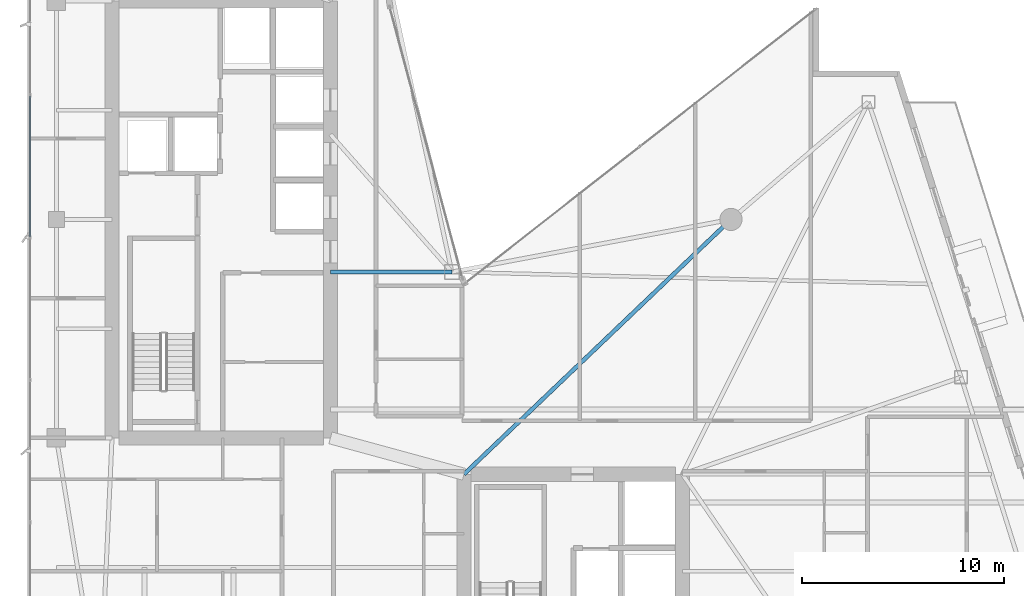
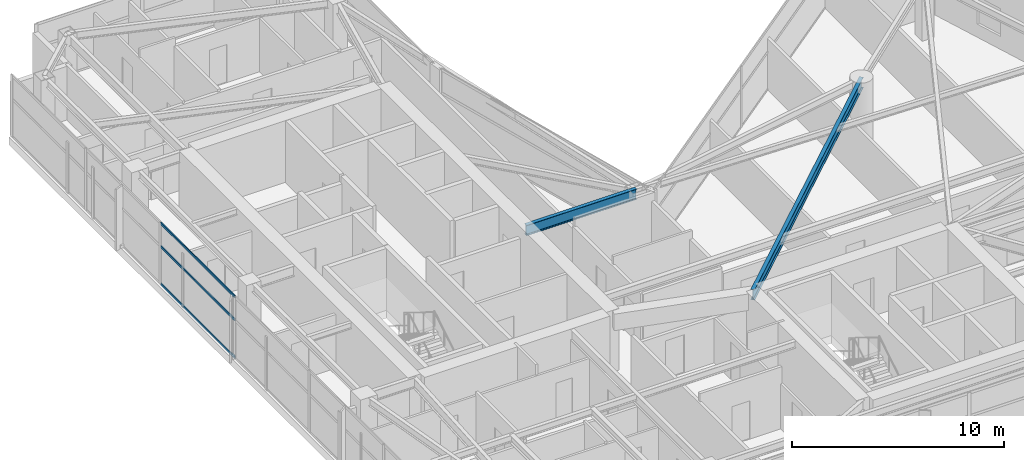
# One storey, part 9 of 29: 3 members, 2 beams, 1 element without a shape of its own.
"""IFC4 building model written with IfcOpenShell, lengths in metres."""

from ifc_helpers import new_model, si_unit, direction, frame, origin, origin_2d, place, context, subcontext, project, spatial, hollow_rectangle, i_section, extrude, material, layer, layer_set, material_profile, profile_set, type_object, element, aggregate, save


model = new_model("IFC4")

# Units and contexts
model_context = context("Model", 3, precision=1e-05, world=origin(), true_north=direction((0.0, 1.0)))
body_context = subcontext(model_context, "Body", "Model", "MODEL_VIEW")
ifc_project = project(units=[si_unit("LENGTHUNIT", "METRE"), si_unit("AREAUNIT", "SQUARE_METRE"), si_unit("VOLUMEUNIT", "CUBIC_METRE"), si_unit("PLANEANGLEUNIT", "RADIAN"), si_unit("MASSUNIT", "GRAM", prefix="KILO")], contexts=[model_context])

# Site, building, storey
site_placement = place(None, origin())
site = spatial("IfcSite", under=ifc_project, at=site_placement, CompositionType="ELEMENT")
building_placement = place(site_placement, origin())
building = spatial("IfcBuilding", under=site, at=building_placement, Name="Calvorn Quay Hotel", CompositionType="ELEMENT")
storey_placement = place(building_placement, frame((0.0, 0.0, 199.60009765625)))
storey = spatial("IfcBuildingStorey", under=building, at=storey_placement, Name="L49", CompositionType="ELEMENT", Elevation=199.60009765625)

# Beams
ifc_material_1 = material(Name="Steel Q355B", Category="steel")
ifc_material_profile_1 = material_profile(ifc_material_1, i_section(OverallWidth=0.199951171875, OverallDepth=0.60009765625, WebThickness=0.010986328125, FlangeThickness=0.01708984375, FilletRadius=0.01806640625, at=origin_2d()), Name="HN600x200x11x17")
ifc_profile_set_1 = profile_set([ifc_material_profile_1], Name="Steel Q355B")
beam_type = type_object("IfcBeamType", Name="BM-GIRD-TYP", PredefinedType="BEAM", material=ifc_profile_set_1)
beam_1_placement = place(storey_placement, frame((21.0, 25.0, 3.239990234375), z_axis=(-1.0, 0.0, 0.0), x_axis=(0.0, -1.0, 0.0)))
element("IfcBeam", 1, at=beam_1_placement, inside=storey, type_object=beam_type, Name="Beam BG-L49-W7", PredefinedType="BEAM", context=body_context, shape_type="SweptSolid", body=[
    extrude(i_section(OverallWidth=0.199951171875, OverallDepth=0.60009765625, WebThickness=0.010986328125, FlangeThickness=0.01708984375, FilletRadius=0.01806640625, at=origin_2d()), origin(), (0.0, 0.0, 1.0), 6.0),
])
beam_2_placement = place(storey_placement, frame((21.60009765625, 15.0, 3.239990234375), z_axis=(0.723351595578, 0.690479883252, 0.0), x_axis=(-0.690479883252, 0.723351595578, 0.0)))
element("IfcBeam", 2, at=beam_2_placement, inside=storey, type_object=beam_type, Name="Beam BG-L49-E4", PredefinedType="BEAM", context=body_context, shape_type="SweptSolid", body=[
    extrude(i_section(OverallWidth=0.199951171875, OverallDepth=0.60009765625, WebThickness=0.010986328125, FlangeThickness=0.01708984375, FilletRadius=0.01806640625, at=origin_2d()), origin(), (0.0, 0.0, 1.0), 18.248291015625),
])

# Curtain wall, members
ifc_material_2 = material(Name="Champagne Bronze Anodised Aluminium and Low-E Glass", Category="aluminium")
ifc_layer = layer(ifc_material_2, 0.219970703125)
ifc_layer_set = layer_set([ifc_layer], Name="CW-SYS-Z3")
curtain_wall_type = type_object("IfcCurtainWallType", Name="CW-SYS-Z3", PredefinedType="NOTDEFINED", material=ifc_layer_set)
curtain_wall_placement = place(storey_placement, origin())
curtain_wall = element("IfcCurtainWall", 3, at=curtain_wall_placement, inside=storey, type_object=curtain_wall_type, Name="Tower West Curtain Wall (L49)", PredefinedType="NOTDEFINED")
ifc_material_3 = material(Name="Champagne Bronze Anodised Aluminium 6063-T6", Category="aluminium")
ifc_material_profile_2 = material_profile(ifc_material_3, hollow_rectangle(XDim=0.05810546875, YDim=0.139892578125, WallThickness=0.003173828125, at=origin_2d()), Name="ALU-T140x58x3.2")
ifc_profile_set_2 = profile_set([ifc_material_profile_2], Name="Champagne Bronze Anodised Aluminium 6063-T6")
member_type = type_object("IfcMemberType", Name="CW-SYS-Z3-TRN", PredefinedType="USERDEFINED", material=ifc_profile_set_2)
member_1_placement = place(storey_placement, frame((0.14990234375, 26.72998046875, 0.02978515625), z_axis=(0.0, 1.0, 0.0), x_axis=(-1.0, 0.0, 0.0)))
member_1 = element("IfcMember", 4, at=member_1_placement, type_object=member_type, Name="CW-L49-W transom 4.1", ObjectType="TRANSOM", PredefinedType="USERDEFINED", context=body_context, shape_type="SweptSolid", body=[
    extrude(hollow_rectangle(XDim=0.05810546875, YDim=0.139892578125, WallThickness=0.003173828125, at=origin_2d()), origin(), (0.0, 0.0, 1.0), 6.973388671875),
])
member_2_placement = place(storey_placement, frame((0.14990234375, 26.72998046875, 2.199951171875), z_axis=(0.0, 1.0, 0.0), x_axis=(-1.0, 0.0, 0.0)))
member_2 = element("IfcMember", 5, at=member_2_placement, type_object=member_type, Name="CW-L49-W transom 4.2", ObjectType="TRANSOM", PredefinedType="USERDEFINED", context=body_context, shape_type="SweptSolid", body=[
    extrude(hollow_rectangle(XDim=0.05810546875, YDim=0.139892578125, WallThickness=0.003173828125, at=origin_2d()), origin(), (0.0, 0.0, 1.0), 6.973388671875),
])
member_3_placement = place(storey_placement, frame((0.14990234375, 26.72998046875, 3.52978515625), z_axis=(0.0, 1.0, 0.0), x_axis=(-1.0, 0.0, 0.0)))
member_3 = element("IfcMember", 6, at=member_3_placement, type_object=member_type, Name="CW-L49-W transom 4.3", ObjectType="TRANSOM", PredefinedType="USERDEFINED", context=body_context, shape_type="SweptSolid", body=[
    extrude(hollow_rectangle(XDim=0.05810546875, YDim=0.139892578125, WallThickness=0.003173828125, at=origin_2d()), origin(), (0.0, 0.0, 1.0), 6.973388671875),
])
aggregate(curtain_wall, [member_1, member_2, member_3])

save(model, "model.ifc")
